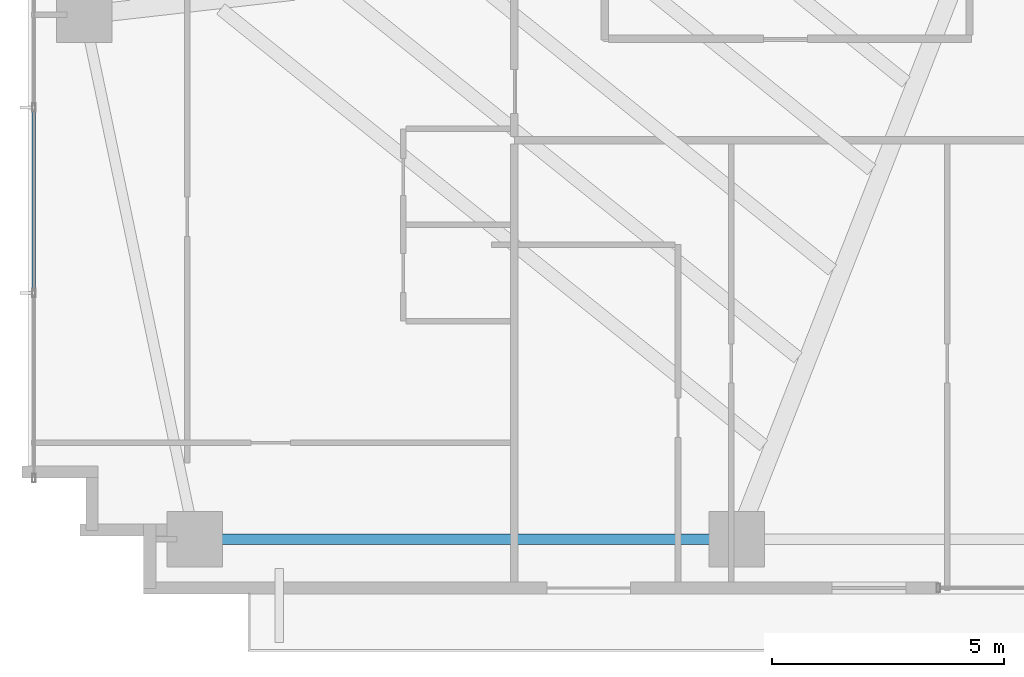
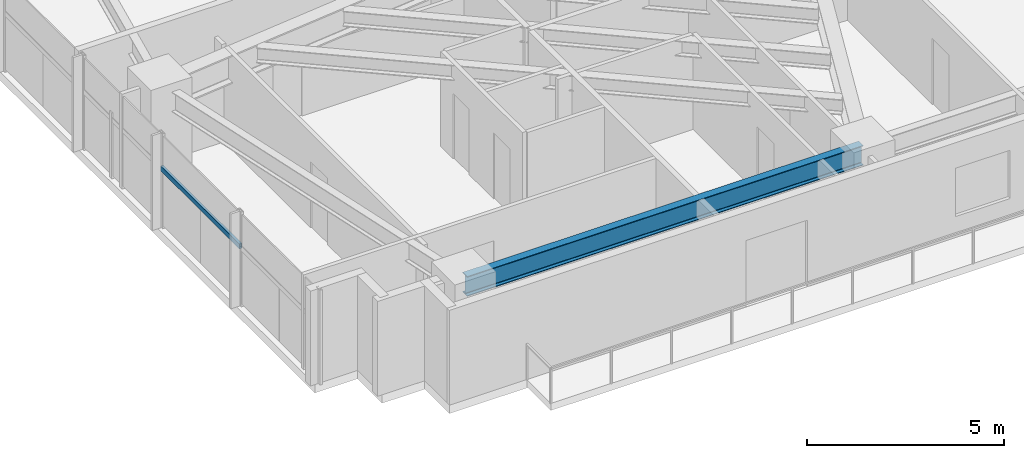
# One storey, part 3 of 25: 1 beam, 1 member, 1 element without a shape of its own.
"""IFC4 building model written with IfcOpenShell, lengths in metres."""

from ifc_helpers import new_model, si_unit, direction, frame, origin, origin_2d, place, context, subcontext, project, spatial, hollow_rectangle, i_section, extrude, source, transform, mapped, material, material_profile, profile_set, type_object, type_shapes, element, aggregate, save


model = new_model("IFC4")

# Units and contexts
model_context = context("Model", 3, precision=1e-05, world=origin(), true_north=direction((0.0, 1.0)))
body_context = subcontext(model_context, "Body", "Model", "MODEL_VIEW")
ifc_project = project(units=[si_unit("LENGTHUNIT", "METRE"), si_unit("AREAUNIT", "SQUARE_METRE"), si_unit("VOLUMEUNIT", "CUBIC_METRE"), si_unit("PLANEANGLEUNIT", "RADIAN"), si_unit("MASSUNIT", "GRAM", prefix="KILO")], contexts=[model_context])

# Site, building, storey
site_placement = place(None, origin())
site = spatial("IfcSite", under=ifc_project, at=site_placement, CompositionType="ELEMENT")
building_placement = place(site_placement, origin())
building = spatial("IfcBuilding", under=site, at=building_placement, Name="Astriad Promenade Condominiums", CompositionType="ELEMENT")
storey_placement = place(building_placement, frame((0.0, 0.0, 39.0)))
storey = spatial("IfcBuildingStorey", under=building, at=storey_placement, Name="L10", CompositionType="ELEMENT", Elevation=39.0)

# Beam
ifc_material_1 = material(Name="Steel ASTM A992 Grade 50", Category="steel")
ifc_material_profile_1 = material_profile(ifc_material_1, i_section(OverallWidth=0.22900390625, OverallDepth=0.612060546875, WebThickness=0.011962890625, FlangeThickness=0.01953125, FilletRadius=0.017822265625, at=origin_2d()), Name="W24X84")
ifc_profile_set_1 = profile_set([ifc_material_profile_1], Name="Steel ASTM A992 Grade 50")
beam_type = type_object("IfcBeamType", Name="STEEL SPANDREL BEAM W24X84", PredefinedType="SPANDREL", material=ifc_profile_set_1)
shared_shape_1 = source(origin(), body_context, "Body", "SweptSolid", [
    extrude(i_section(OverallWidth=0.22900390625, OverallDepth=0.612060546875, WebThickness=0.011962890625, FlangeThickness=0.01953125, FilletRadius=0.017822265625, at=origin_2d()), origin(), (0.0, 0.0, 1.0), 11.6201171875),
])
type_shapes(beam_type, [shared_shape_1])
beam_placement = place(storey_placement, frame((9.43994140625, 3.8798828125, 2.6337890625), z_axis=(1.0, 0.0, 0.0), x_axis=(0.0, 1.0, 0.0)))
element("IfcBeam", 1, at=beam_placement, inside=storey, type_object=beam_type, Name="Perimeter Spandrel Beam SP-S1-L10", PredefinedType="SPANDREL", context=body_context, shape_type="MappedRepresentation", body=[
    mapped(shared_shape_1, transform((0.0, 0.0, 0.0), scale=1.0)),
])

# Curtain wall, member
ifc_material_2 = material(Name="Anodised aluminium Black Dark Glass Unitised", Category="aluminium")
curtain_wall_type = type_object("IfcCurtainWallType", Name="CW-B1-DARK", PredefinedType="USERDEFINED", material=ifc_material_2)
curtain_wall_placement = place(storey_placement, origin())
curtain_wall = element("IfcCurtainWall", 2, at=curtain_wall_placement, inside=storey, type_object=curtain_wall_type, Name="CW-L10-W", ObjectType="UNITISED_CURTAIN_WALL", PredefinedType="USERDEFINED")
ifc_material_3 = material(Name="Anodised aluminium 6063-T6 Black", Category="aluminium")
ifc_material_profile_2 = material_profile(ifc_material_3, hollow_rectangle(XDim=0.074951171875, YDim=0.14990234375, WallThickness=0.004150390625, at=origin_2d()), Name="ALU-TRN-75X150")
ifc_profile_set_2 = profile_set([ifc_material_profile_2], Name="Anodised aluminium 6063-T6 Black")
member_type = type_object("IfcMemberType", Name="TRN-ALU-TRN-75X150", PredefinedType="USERDEFINED", material=ifc_profile_set_2)
shared_shape_2 = source(origin(), body_context, "Body", "SweptSolid", [
    extrude(hollow_rectangle(XDim=0.074951171875, YDim=0.14990234375, WallThickness=0.004150390625, at=origin_2d()), origin(), (0.0, 0.0, 1.0), 4.0),
])
type_shapes(member_type, [shared_shape_2])
member_placement = place(storey_placement, frame((5.929931640625, 9.199951171875, 1.82275390625), z_axis=(0.0, 1.0, 0.0), x_axis=(-1.0, 0.0, 0.0)))
member = element("IfcMember", 3, at=member_placement, type_object=member_type, Name="CW-L10-W-TRN-01-0", ObjectType="TRANSOM", PredefinedType="USERDEFINED", context=body_context, shape_type="MappedRepresentation", body=[
    mapped(shared_shape_2, transform((0.0, 0.0, 0.0), scale=1.0)),
])
aggregate(curtain_wall, [member])

save(model, "model.ifc")
